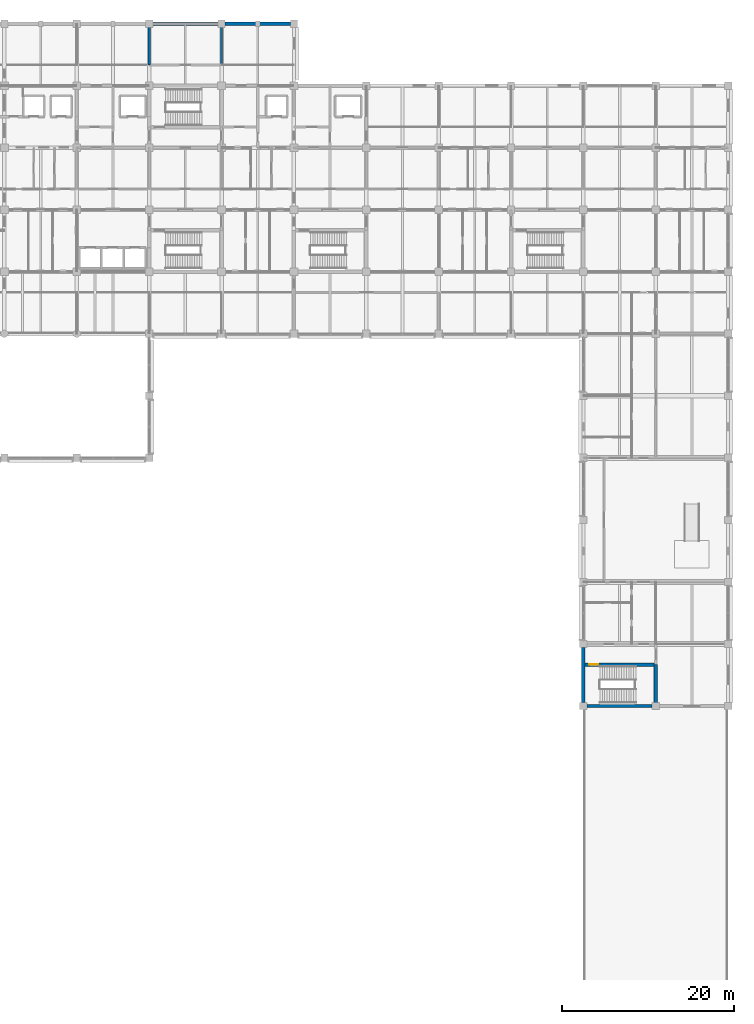
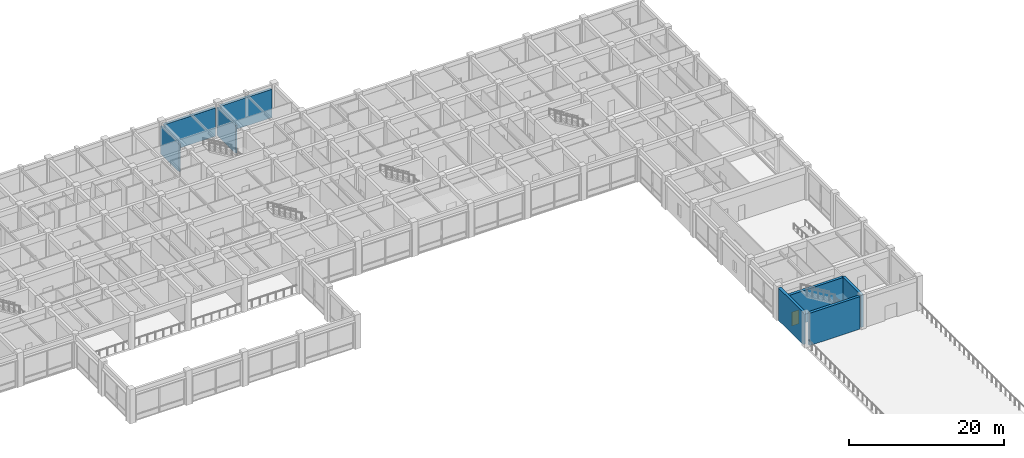
# One storey, part 37 of 51: 8 walls, 1 door, 1 opening.
"""IFC4 building model written with IfcOpenShell, lengths in metres."""

import ifcopenshell
import ifcopenshell.guid

model = None  # the IFC model being written
_history = None  # IfcOwnerHistory: only IFC2X3 demands one
_inside = {}  # id of a spatial element -> (the spatial element, [elements in it])
_under = {}  # id of a project, library or spatial element -> (it, [spatial elements below it])
_declared = {}  # id of a project -> (the project, [libraries it declares])
_typed = {}  # id of a type object -> (the type object, [elements of that type])
_made_of = {}  # id of a material, layer set ... -> (it, [elements and type objects made of it])


def new_model(schema):
    """Start an empty IFC model of exactly this schema.

    Asked for "IFC4X3", IfcOpenShell would pick the latest addendum, in which some entities
    have other attributes; the version numbers below select the first issue.
    IFC2X3 requires an IfcOwnerHistory on every rooted entity: one is made here for all.
    """
    global model, _history
    if schema == "IFC4X3":
        model = ifcopenshell.file(schema_version=(4, 3, 0, 0))
    else:
        model = ifcopenshell.file(schema=schema)
    _inside.clear()
    _under.clear()
    _declared.clear()
    _typed.clear()
    _made_of.clear()
    _history = None
    if model.schema == "IFC2X3":
        org = make("IfcOrganization", Name="unknown")
        user = make(
            "IfcPersonAndOrganization",
            ThePerson=make("IfcPerson", FamilyName="unknown"),
            TheOrganization=org,
        )
        app = make(
            "IfcApplication",
            ApplicationDeveloper=org,
            Version="unknown",
            ApplicationFullName="unknown",
            ApplicationIdentifier="unknown",
        )
        _history = make(
            "IfcOwnerHistory",
            OwningUser=user,
            OwningApplication=app,
            ChangeAction="ADDED",
            CreationDate=0,
        )
    return model


def make(cls, **values):
    """One entity of the class cls with the attributes given. An attribute that is None is left unset."""
    return model.create_entity(
        cls, **{name: value for name, value in values.items() if value is not None}
    )


def rooted(cls, **values):
    """An entity with a GlobalId (a new one), such as an element, a storey or a relation."""
    return make(cls, GlobalId=ifcopenshell.guid.new(), OwnerHistory=_history, **values)


def si_unit(unit_type, name, prefix=None):
    """IfcSIUnit, for example si_unit("LENGTHUNIT", "METRE", prefix="MILLI")."""
    return make("IfcSIUnit", UnitType=unit_type, Prefix=prefix, Name=name)


def assignment(units):
    """IfcUnitAssignment: the units of a project."""
    return None if units is None else make("IfcUnitAssignment", Units=units)


def point(xyz):
    """IfcCartesianPoint."""
    return None if xyz is None else make("IfcCartesianPoint", Coordinates=xyz)


def direction(xyz):
    """IfcDirection."""
    return None if xyz is None else make("IfcDirection", DirectionRatios=xyz)


def frame(location, z_axis=None, x_axis=None):
    """IfcAxis2Placement3D, a coordinate frame: its origin and axes. An axis left out is left unset."""
    return make(
        "IfcAxis2Placement3D",
        Location=point(location),
        Axis=direction(z_axis),
        RefDirection=direction(x_axis),
    )


def frame_2d(location, x_axis=None):
    """IfcAxis2Placement2D, a coordinate frame in the plane: its origin and x axis."""
    return make(
        "IfcAxis2Placement2D", Location=point(location), RefDirection=direction(x_axis)
    )


def origin():
    """The frame at (0, 0, 0) with its axes left unset."""
    return frame((0.0, 0.0, 0.0))


def place(relative_to, where):
    """IfcLocalPlacement: puts the frame where relative to a parent placement (None: the world)."""
    return make(
        "IfcLocalPlacement", PlacementRelTo=relative_to, RelativePlacement=where
    )


def context(
    kind, dimensions, precision=None, world=None, true_north=None, identifier=None
):
    """IfcGeometricRepresentationContext, for example the 3D "Model" context."""
    return make(
        "IfcGeometricRepresentationContext",
        ContextIdentifier=identifier,
        ContextType=kind,
        CoordinateSpaceDimension=dimensions,
        Precision=precision,
        WorldCoordinateSystem=world,
        TrueNorth=true_north,
    )


def subcontext(parent, identifier, kind, view, scale=None):
    """IfcGeometricRepresentationSubContext, for example "Body" below "Model"."""
    return make(
        "IfcGeometricRepresentationSubContext",
        ContextIdentifier=identifier,
        ContextType=kind,
        ParentContext=parent,
        TargetScale=scale,
        TargetView=view,
    )


def project(units=None, contexts=None):
    """IfcProject with its units and contexts."""
    return rooted(
        "IfcProject",
        Name="project",
        RepresentationContexts=contexts,
        UnitsInContext=assignment(units),
    )


def spatial(cls, under=None, at=None, **own):
    """A site, building, storey or space (cls), placed at a placement, below another one or the project."""
    s = rooted(cls, ObjectPlacement=at, **own)
    if under is not None:
        _under.setdefault(under.id(), (under, []))[1].append(s)
    return s


def profile(cls, at=None, kind="AREA", **sizes):
    """A parametric profile (cls). Its sizes go by their IFC names, for example OverallWidth=200.0."""
    return make(cls, ProfileType=kind, Position=at, **sizes)


def rectangle(**sizes):
    """IfcRectangleProfileDef."""
    return profile("IfcRectangleProfileDef", **sizes)


def extrude(swept, where, along, depth):
    """IfcExtrudedAreaSolid: the profile swept, set in the frame where, extruded along a direction by depth."""
    return make(
        "IfcExtrudedAreaSolid",
        SweptArea=swept,
        Position=where,
        ExtrudedDirection=direction(along),
        Depth=depth,
    )


def shape(context_of_items, identifier, shape_type, items):
    """IfcShapeRepresentation: the items that make up one representation, for example the "Body"."""
    return make(
        "IfcShapeRepresentation",
        ContextOfItems=context_of_items,
        RepresentationIdentifier=identifier,
        RepresentationType=shape_type,
        Items=items,
    )


def material(Name=None, Category=None):
    """IfcMaterial."""
    return make("IfcMaterial", Name=Name, Category=Category)


def layer(
    of_material, thickness, ventilated=None, Name=None, Category=None, Priority=None
):
    """IfcMaterialLayer: one layer of a wall or slab, of a material (None: an air gap)."""
    return make(
        "IfcMaterialLayer",
        Material=of_material,
        LayerThickness=thickness,
        IsVentilated=ventilated,
        Name=Name,
        Category=Category,
        Priority=Priority,
    )


def layer_set(layers, Name=None):
    """IfcMaterialLayerSet."""
    return make("IfcMaterialLayerSet", MaterialLayers=layers, LayerSetName=Name)


def made_of(thing, what):
    """Note that an element or type object is made of a material, layer set ...; save() writes the relation."""
    if what is not None:
        _made_of.setdefault(what.id(), (what, []))[1].append(thing)
    return thing


def type_object(cls, material=None, **own):
    """A type object (cls), such as IfcWallType, which elements share."""
    return made_of(rooted(cls, **own), material)


def element(
    cls,
    number,
    at=None,
    inside=None,
    cuts=None,
    type_object=None,
    material=None,
    context=None,
    identifier="Body",
    shape_type=None,
    held_by="IfcProductDefinitionShape",
    body=None,
    shapes=None,
    **own,
):
    """One element of the class cls, such as IfcWall. Its Tag is "e" and its number.

    at: its placement. inside: the storey or other place that contains it. cuts: it is an
    opening in that element (IfcRelVoidsElement). A single representation is given by context,
    identifier, shape_type and body (its items); several are given by shapes. held_by: the class
    of the entity that holds the representations. save() writes the other relations.
    """
    e = rooted(cls, Tag="e%d" % number, ObjectPlacement=at, **own)
    if body is not None:
        shapes = [shape(context, identifier, shape_type, body)]
    if shapes is not None:
        e.Representation = make(held_by, Representations=shapes)
    if inside is not None:
        _inside.setdefault(inside.id(), (inside, []))[1].append(e)
    if cuts is not None:
        rooted(
            "IfcRelVoidsElement", RelatingBuildingElement=cuts, RelatedOpeningElement=e
        )
    if type_object is not None:
        _typed.setdefault(type_object.id(), (type_object, []))[1].append(e)
    return made_of(e, material)


def fill(opening, filler):
    """IfcRelFillsElement: the door or window that sits in an opening."""
    return rooted(
        "IfcRelFillsElement",
        RelatingOpeningElement=opening,
        RelatedBuildingElement=filler,
    )


def aggregate(whole, parts):
    """IfcRelAggregates: a whole, such as a stair, and the parts it consists of."""
    return rooted("IfcRelAggregates", RelatingObject=whole, RelatedObjects=parts)


def save(model, path):
    """Write the relations noted so far, then the file.

    IfcRelAggregates (storeys below a building ...), IfcRelContainedInSpatialStructure (elements
    in a storey), IfcRelDefinesByType, IfcRelAssociatesMaterial and IfcRelDeclares: one each for
    every whole, place, type object, material and project.
    """
    for whole, parts in _under.values():
        aggregate(whole, parts)
    for where, things in _inside.values():
        rooted(
            "IfcRelContainedInSpatialStructure",
            RelatedElements=things,
            RelatingStructure=where,
        )
    for kind, things in _typed.values():
        rooted("IfcRelDefinesByType", RelatedObjects=things, RelatingType=kind)
    for what, things in _made_of.values():
        rooted("IfcRelAssociatesMaterial", RelatedObjects=things, RelatingMaterial=what)
    for by, libraries in _declared.values():
        rooted("IfcRelDeclares", RelatingContext=by, RelatedDefinitions=libraries)
    model.write(path)


model = new_model("IFC4")

# Units and contexts
model_context = context("Model", 3, precision=1e-05, world=origin(), true_north=direction((0.0, 1.0)))
body_context = subcontext(model_context, "Body", "Model", "MODEL_VIEW")
ifc_project = project(units=[si_unit("LENGTHUNIT", "METRE"), si_unit("AREAUNIT", "SQUARE_METRE"), si_unit("VOLUMEUNIT", "CUBIC_METRE"), si_unit("PLANEANGLEUNIT", "RADIAN"), si_unit("MASSUNIT", "GRAM", prefix="KILO")], contexts=[model_context])

# Site, building, storey
site_placement = place(None, origin())
site = spatial("IfcSite", under=ifc_project, at=site_placement, CompositionType="ELEMENT")
building_placement = place(site_placement, origin())
building = spatial("IfcBuilding", under=site, at=building_placement, Name="Chengyuan Square Courthouse", CompositionType="ELEMENT")
storey_placement = place(building_placement, frame((0.0, 0.0, 10.800048828125)))
storey = spatial("IfcBuildingStorey", under=building, at=storey_placement, Name="L03", CompositionType="ELEMENT", Elevation=10.800048828125)

# Walls
ifc_material_1 = material(Name="Concrete C40", Category="concrete")
ifc_layer_1 = layer(ifc_material_1, 0.3798828125)
ifc_layer_set_1 = layer_set([ifc_layer_1], Name="Concrete C40")
wall_type_1 = type_object("IfcWallType", Name="WL-EW1", PredefinedType="STANDARD", material=ifc_layer_set_1)
wall_1_placement = place(storey_placement, frame((101.219970703125, 115.199951171875, 0.0), z_axis=(0.0, 0.0, 1.0), x_axis=(1.0, 0.0, 0.0)))
element("IfcWall", 1, at=wall_1_placement, inside=storey, type_object=wall_type_1, Name="Exterior Wall WL-L03-E278", PredefinedType="STANDARD", context=body_context, shape_type="SweptSolid", body=[
    extrude(rectangle(XDim=7.56005859375, YDim=0.3798828125, at=frame_2d((3.780029296875, 0.0))), origin(), (0.0, 0.0, 1.0), 4.469970703125),
])
wall_2_placement = place(storey_placement, frame((109.6201171875, 115.199951171875, 0.0), z_axis=(0.0, 0.0, 1.0), x_axis=(1.0, 0.0, 0.0)))
element("IfcWall", 2, at=wall_2_placement, inside=storey, type_object=wall_type_1, Name="Exterior Wall WL-L03-E279", PredefinedType="STANDARD", context=body_context, shape_type="SweptSolid", body=[
    extrude(rectangle(XDim=7.559814453125, YDim=0.3798828125, at=frame_2d((3.77978515625, 0.0))), origin(), (0.0, 0.0, 1.0), 4.469970703125),
])
ifc_layer_2 = layer(ifc_material_1, 0.25)
ifc_layer_set_2 = layer_set([ifc_layer_2], Name="Concrete C40")
wall_type_2 = type_object("IfcWallType", Name="WL-FW1", PredefinedType="STANDARD", material=ifc_layer_set_2)
for number, where, z_axis, x_axis, name in (
    (3, (100.800048828125, 110.39990234375, 0.0), (0.0, 0.0, 1.0), (0.0, 1.0, 0.0), "Interior Wall WL-L03-I1675"),
    (4, (109.199951171875, 110.39990234375, 0.0), (0.0, 0.0, 1.0), (0.0, 1.0, 0.0), "Interior Wall WL-L03-I1682"),
):
    element("IfcWall", number, at=place(storey_placement, frame(where, z_axis=z_axis, x_axis=x_axis)), inside=storey, type_object=wall_type_2, Name=name, PredefinedType="STANDARD", context=body_context, shape_type="SweptSolid", body=[
        extrude(rectangle(XDim=4.760009765625, YDim=0.25, at=frame_2d((2.3798828125, 0.0))), origin(), (0.0, 0.0, 1.0), 4.369873046875),
    ])
ifc_material_2 = material(Name="Concrete C50", Category="concrete")
ifc_layer_3 = layer(ifc_material_2, 0.39990234375)
ifc_layer_set_3 = layer_set([ifc_layer_3], Name="Concrete C50")
wall_type_3 = type_object("IfcWallType", Name="WL-SW1", PredefinedType="SHEAR", material=ifc_layer_set_3)
wall_3_placement = place(storey_placement, frame((151.6201171875, 36.0, 0.0), z_axis=(0.0, 0.0, 1.0), x_axis=(1.0, 0.0, 0.0)))
element("IfcWall", 5, at=wall_3_placement, inside=storey, type_object=wall_type_3, Name="Exterior Wall WL-L03-E285", PredefinedType="SHEAR", context=body_context, shape_type="SweptSolid", body=[
    extrude(rectangle(XDim=7.559814453125, YDim=0.39990234375, at=frame_2d((3.77978515625, 0.0))), origin(), (0.0, 0.0, 1.0), 5.119873046875),
])
wall_4_placement = place(storey_placement, frame((151.199951171875, 36.419921875, 0.0), z_axis=(0.0, 0.0, 1.0), x_axis=(0.0, 1.0, 0.0)))
element("IfcWall", 6, at=wall_4_placement, inside=storey, type_object=wall_type_3, Name="Exterior Wall WL-L03-E286", PredefinedType="SHEAR", context=body_context, shape_type="SweptSolid", body=[
    extrude(rectangle(XDim=6.360107421875, YDim=0.39990234375, at=frame_2d((3.18017578125, 0.0))), origin(), (0.0, 0.0, 1.0), 5.119873046875),
])

# Wall, opening, door
wall_5_placement = place(storey_placement, frame((151.239990234375, 40.800048828125, 0.0), z_axis=(0.0, 0.0, 1.0), x_axis=(1.0, 0.0, 0.0)))
wall_5 = element("IfcWall", 7, at=wall_5_placement, inside=storey, type_object=wall_type_3, Name="Interior Wall WL-L03-I1389", PredefinedType="SHEAR", context=body_context, shape_type="SweptSolid", body=[
    extrude(rectangle(XDim=8.360107421875, YDim=0.39990234375, at=frame_2d((4.18017578125, 0.0))), origin(), (0.0, 0.0, 1.0), 5.119873046875),
])
opening_placement = place(wall_5_placement, frame((0.610107421875, 0.0, 0.0)))
opening = element("IfcOpeningElement", 8, at=opening_placement, cuts=wall_5, Name="Opening DR-1324", PredefinedType="OPENING", context=body_context, shape_type="SweptSolid", body=[
    extrude(rectangle(XDim=1.10009765625, YDim=2.199951171875, at=frame_2d((0.550048828125, 1.10009765625))), frame((0.0, 0.2119140625, 0.0), z_axis=(0.0, -1.0, 0.0), x_axis=(1.0, 0.0, 0.0)), (0.0, 0.0, 1.0), 0.423828125),
])
ifc_material_3 = material(Name="Steel Q235B Fire Door", Category="steel")
door_type = type_object("IfcDoorType", Name="DT-10", OperationType="NOTDEFINED", PredefinedType="DOOR", material=ifc_material_3)
door_placement = place(opening_placement, frame((1.10009765625, 0.0, 0.0), z_axis=(0.0, 0.0, 1.0), x_axis=(-1.0, 0.0, 0.0)))
door = element("IfcDoor", 9, at=door_placement, inside=storey, type_object=door_type, Name="Smoke-Proof Stairwell Fire Door ST-8 DR-1324", OperationType="SINGLE_SWING_LEFT", OverallHeight=2.199951171875, OverallWidth=1.10009765625, PredefinedType="DOOR", context=body_context, shape_type="SweptSolid", body=[
    extrude(rectangle(XDim=1.10009765625, YDim=2.199951171875, at=frame_2d((0.550048828125, 1.10009765625))), frame((0.0, 0.02490234375, 0.0), z_axis=(0.0, -1.0, 0.0), x_axis=(1.0, 0.0, 0.0)), (0.0, 0.0, 1.0), 0.050048828125),
])
fill(opening, door)

# Wall
wall_6_placement = place(storey_placement, frame((159.60009765625, 36.0400390625, 0.0), z_axis=(0.0, 0.0, 1.0), x_axis=(0.0, 1.0, 0.0)))
element("IfcWall", 10, at=wall_6_placement, inside=storey, type_object=wall_type_3, Name="Interior Wall WL-L03-I1725", PredefinedType="SHEAR", context=body_context, shape_type="SweptSolid", body=[
    extrude(rectangle(XDim=4.760009765625, YDim=0.39990234375, at=frame_2d((2.3798828125, 0.0))), origin(), (0.0, 0.0, 1.0), 5.119873046875),
])

save(model, "model.ifc")
